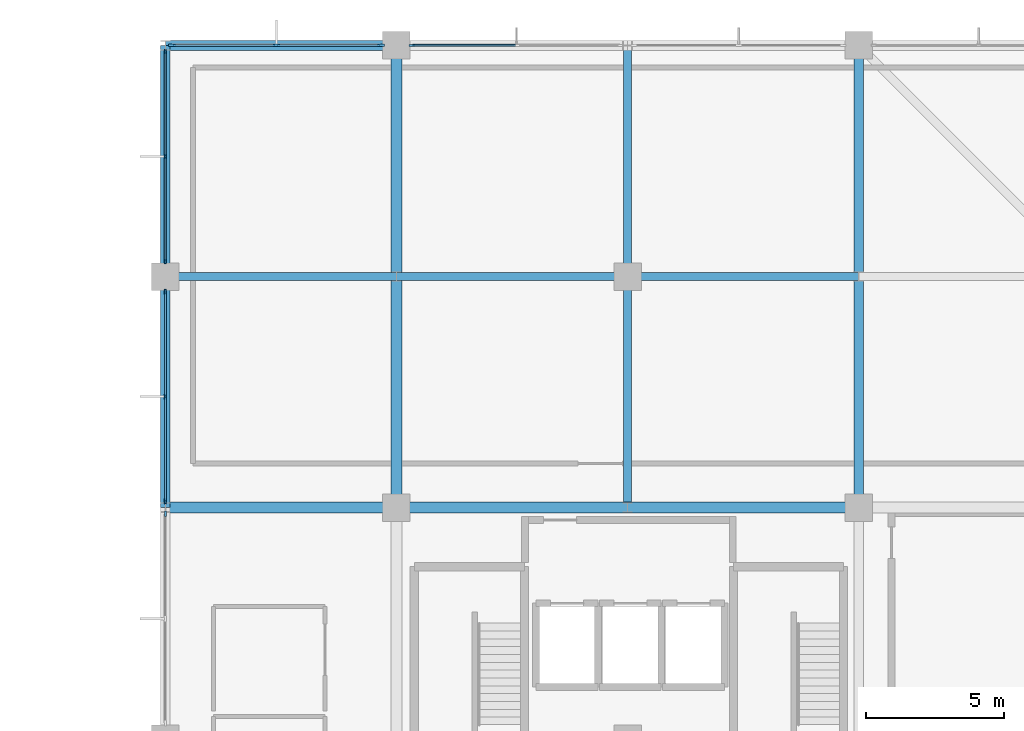
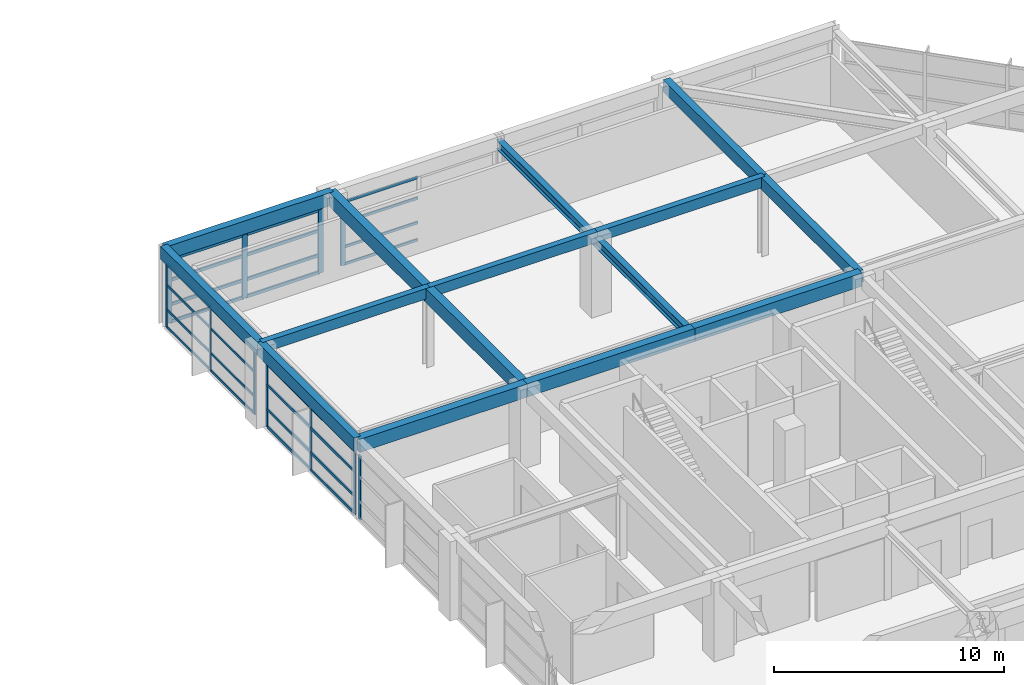
# One storey, part 22 of 32: 39 members, 15 beams, 5 elements without a shape of their own.
"""IFC4 building model written with IfcOpenShell, lengths in metres."""

from ifc_helpers import new_model, si_unit, direction, frame, origin, origin_2d, place, context, subcontext, project, spatial, rectangle, i_section, extrude, material, material_profile, profile_set, type_object, element, aggregate, save


model = new_model("IFC4")

# Units and contexts
model_context = context("Model", 3, precision=1e-05, world=origin(), true_north=direction((0.0, 1.0)))
body_context = subcontext(model_context, "Body", "Model", "MODEL_VIEW")
ifc_project = project(units=[si_unit("LENGTHUNIT", "METRE"), si_unit("AREAUNIT", "SQUARE_METRE"), si_unit("VOLUMEUNIT", "CUBIC_METRE"), si_unit("PLANEANGLEUNIT", "RADIAN"), si_unit("MASSUNIT", "GRAM", prefix="KILO")], contexts=[model_context])

# Site, building, storey
site_placement = place(None, origin())
site = spatial("IfcSite", under=ifc_project, at=site_placement, CompositionType="ELEMENT")
building_placement = place(site_placement, origin())
building = spatial("IfcBuilding", under=site, at=building_placement, Name="Xuanlan Plaza Opera House", CompositionType="ELEMENT")
storey_placement = place(building_placement, frame((0.0, 0.0, 40.5)))
storey = spatial("IfcBuildingStorey", under=building, at=storey_placement, Name="L09", CompositionType="ELEMENT", Elevation=40.5)

# Curtain wall, members
ifc_material_1 = material(Name="Anodised Aluminium 6063-T6 and Low-E Glass", Category="aluminium")
curtain_wall_type_1 = type_object("IfcCurtainWallType", Name="ENV-CW-CW-02", PredefinedType="USERDEFINED", material=ifc_material_1)
curtain_wall_1_placement = place(storey_placement, origin())
curtain_wall_1 = element("IfcCurtainWall", 1, at=curtain_wall_1_placement, inside=storey, type_object=curtain_wall_type_1, Name="Unitised Curtain Wall L09-015", ObjectType="UNITISED CURTAIN WALL", PredefinedType="USERDEFINED")
ifc_material_2 = material(Name="Anodised Aluminium 6063-T6", Category="aluminium")
ifc_material_profile_1 = material_profile(ifc_material_2, rectangle(XDim=0.06494140625, YDim=0.159912109375, at=origin_2d()), Name="ALU-M 65x160")
ifc_profile_set_1 = profile_set([ifc_material_profile_1], Name="Anodised Aluminium 6063-T6")
member_type_1 = type_object("IfcMemberType", Name="ENV-CWM-01", PredefinedType="MULLION", material=ifc_profile_set_1)
member_1_placement = place(storey_placement, frame((126.0, 83.7724609375, 0.0), z_axis=(0.0, 0.0, 1.0), x_axis=(1.0, 0.0, 0.0)))
member_1 = element("IfcMember", 2, at=member_1_placement, type_object=member_type_1, Name="CW-02 mullion 1", PredefinedType="MULLION", context=body_context, shape_type="SweptSolid", body=[
    extrude(rectangle(XDim=0.06494140625, YDim=0.159912109375, at=origin_2d()), origin(), (0.0, 0.0, 1.0), 3.3798828125),
])
member_2_placement = place(storey_placement, frame((126.0, 79.96240234375, 0.0), z_axis=(0.0, 0.0, 1.0), x_axis=(1.0, 0.0, 0.0)))
member_2 = element("IfcMember", 3, at=member_2_placement, type_object=member_type_1, Name="CW-02 mullion 2", PredefinedType="MULLION", context=body_context, shape_type="SweptSolid", body=[
    extrude(rectangle(XDim=0.06494140625, YDim=0.159912109375, at=origin_2d()), origin(), (0.0, 0.0, 1.0), 3.3798828125),
])
member_3_placement = place(storey_placement, frame((126.0, 76.152587890625, 0.0), z_axis=(0.0, 0.0, 1.0), x_axis=(1.0, 0.0, 0.0)))
member_3 = element("IfcMember", 4, at=member_3_placement, type_object=member_type_1, Name="CW-02 mullion 3", PredefinedType="MULLION", context=body_context, shape_type="SweptSolid", body=[
    extrude(rectangle(XDim=0.06494140625, YDim=0.159912109375, at=origin_2d()), origin(), (0.0, 0.0, 1.0), 3.3798828125),
])

curtain_wall_type_2 = type_object("IfcCurtainWallType", Name="ENV-CW-CW-03", PredefinedType="USERDEFINED", material=ifc_material_1)
curtain_wall_2_placement = place(storey_placement, origin())
curtain_wall_2 = element("IfcCurtainWall", 5, at=curtain_wall_2_placement, inside=storey, type_object=curtain_wall_type_2, Name="Unitised Curtain Wall L09-016", ObjectType="UNITISED CURTAIN WALL", PredefinedType="USERDEFINED")
ifc_material_profile_2 = material_profile(ifc_material_2, rectangle(XDim=0.070068359375, YDim=0.179931640625, at=origin_2d()), Name="ALU-M 70x180")
ifc_profile_set_2 = profile_set([ifc_material_profile_2], Name="Anodised Aluminium 6063-T6")
member_type_2 = type_object("IfcMemberType", Name="ENV-CWM-02", PredefinedType="MULLION", material=ifc_profile_set_2)
member_4_placement = place(storey_placement, frame((126.0, 75.044921875, 0.0), z_axis=(0.0, 0.0, 1.0), x_axis=(1.0, 0.0, 0.0)))
member_4 = element("IfcMember", 6, at=member_4_placement, type_object=member_type_2, Name="CW-03 mullion 1", PredefinedType="MULLION", context=body_context, shape_type="SweptSolid", body=[
    extrude(rectangle(XDim=0.070068359375, YDim=0.179931640625, at=origin_2d()), origin(), (0.0, 0.0, 1.0), 3.3798828125),
])
member_5_placement = place(storey_placement, frame((126.0, 71.237548828125, 0.0), z_axis=(0.0, 0.0, 1.0), x_axis=(1.0, 0.0, 0.0)))
member_5 = element("IfcMember", 7, at=member_5_placement, type_object=member_type_2, Name="CW-03 mullion 2", PredefinedType="MULLION", context=body_context, shape_type="SweptSolid", body=[
    extrude(rectangle(XDim=0.070068359375, YDim=0.179931640625, at=origin_2d()), origin(), (0.0, 0.0, 1.0), 3.3798828125),
])
member_6_placement = place(storey_placement, frame((126.0, 67.429931640625, 0.0), z_axis=(0.0, 0.0, 1.0), x_axis=(1.0, 0.0, 0.0)))
member_6 = element("IfcMember", 8, at=member_6_placement, type_object=member_type_2, Name="CW-03 mullion 3", PredefinedType="MULLION", context=body_context, shape_type="SweptSolid", body=[
    extrude(rectangle(XDim=0.070068359375, YDim=0.179931640625, at=origin_2d()), origin(), (0.0, 0.0, 1.0), 3.3798828125),
])

# Curtain wall, member
curtain_wall_type_3 = type_object("IfcCurtainWallType", Name="ENV-CW-CW-04", PredefinedType="USERDEFINED", material=ifc_material_1)
curtain_wall_3_placement = place(storey_placement, origin())
curtain_wall_3 = element("IfcCurtainWall", 9, at=curtain_wall_3_placement, inside=storey, type_object=curtain_wall_type_3, Name="Unitised Curtain Wall L09-017", ObjectType="UNITISED CURTAIN WALL", PredefinedType="USERDEFINED")
ifc_material_profile_3 = material_profile(ifc_material_2, rectangle(XDim=0.074951171875, YDim=0.199951171875, at=origin_2d()), Name="ALU-M 75x200")
ifc_profile_set_3 = profile_set([ifc_material_profile_3], Name="Anodised Aluminium 6063-T6")
member_type_3 = type_object("IfcMemberType", Name="ENV-CWM-03", PredefinedType="MULLION", material=ifc_profile_set_3)
member_7_placement = place(storey_placement, frame((126.0, 66.967529296875, 0.0), z_axis=(0.0, 0.0, 1.0), x_axis=(1.0, 0.0, 0.0)))
member_7 = element("IfcMember", 10, at=member_7_placement, type_object=member_type_3, Name="CW-04 mullion 1", PredefinedType="MULLION", context=body_context, shape_type="SweptSolid", body=[
    extrude(rectangle(XDim=0.074951171875, YDim=0.199951171875, at=origin_2d()), origin(), (0.0, 0.0, 1.0), 3.3798828125),
])
aggregate(curtain_wall_3, [member_7])

curtain_wall_4_placement = place(storey_placement, origin())
curtain_wall_4 = element("IfcCurtainWall", 11, at=curtain_wall_4_placement, inside=storey, type_object=curtain_wall_type_3, Name="Unitised Curtain Wall L09-013", ObjectType="UNITISED CURTAIN WALL", PredefinedType="USERDEFINED")
ifc_material_profile_4 = material_profile(ifc_material_2, rectangle(XDim=0.080078125, YDim=0.219970703125, at=origin_2d()), Name="ALU-M 80x220")
ifc_profile_set_4 = profile_set([ifc_material_profile_4], Name="Anodised Aluminium 6063-T6")
member_type_4 = type_object("IfcMemberType", Name="ENV-CWM-04", PredefinedType="MULLION", material=ifc_profile_set_4)
member_8_placement = place(storey_placement, frame((134.9599609375, 84.0, 0.0), z_axis=(0.0, 0.0, 1.0), x_axis=(0.0, -1.0, 0.0)))
member_8 = element("IfcMember", 12, at=member_8_placement, type_object=member_type_4, Name="CW-04 mullion 3", PredefinedType="MULLION", context=body_context, shape_type="SweptSolid", body=[
    extrude(rectangle(XDim=0.080078125, YDim=0.219970703125, at=origin_2d()), origin(), (0.0, 0.0, 1.0), 3.3798828125),
])

# Curtain wall, members
curtain_wall_type_4 = type_object("IfcCurtainWallType", Name="ENV-CW-CW-01", PredefinedType="USERDEFINED", material=ifc_material_1)
curtain_wall_5_placement = place(storey_placement, origin())
curtain_wall_5 = element("IfcCurtainWall", 13, at=curtain_wall_5_placement, inside=storey, type_object=curtain_wall_type_4, Name="Unitised Curtain Wall L09-014", ObjectType="UNITISED CURTAIN WALL", PredefinedType="USERDEFINED")
ifc_material_profile_5 = material_profile(ifc_material_2, rectangle(XDim=0.090087890625, YDim=0.25, at=origin_2d()), Name="ALU-M 90x250")
ifc_profile_set_5 = profile_set([ifc_material_profile_5], Name="Anodised Aluminium 6063-T6")
member_type_5 = type_object("IfcMemberType", Name="ENV-CWM-05", PredefinedType="MULLION", material=ifc_profile_set_5)
member_9_placement = place(storey_placement, frame((133.8349609375, 84.0, 0.0), z_axis=(0.0, 0.0, 1.0), x_axis=(0.0, -1.0, 0.0)))
member_9 = element("IfcMember", 14, at=member_9_placement, type_object=member_type_5, Name="CW-01 mullion 1", PredefinedType="MULLION", context=body_context, shape_type="SweptSolid", body=[
    extrude(rectangle(XDim=0.090087890625, YDim=0.25, at=origin_2d()), origin(), (0.0, 0.0, 1.0), 3.3798828125),
])
member_10_placement = place(storey_placement, frame((130.03759765625, 84.0, 0.0), z_axis=(0.0, 0.0, 1.0), x_axis=(0.0, -1.0, 0.0)))
member_10 = element("IfcMember", 15, at=member_10_placement, type_object=member_type_5, Name="CW-01 mullion 2", PredefinedType="MULLION", context=body_context, shape_type="SweptSolid", body=[
    extrude(rectangle(XDim=0.090087890625, YDim=0.25, at=origin_2d()), origin(), (0.0, 0.0, 1.0), 3.3798828125),
])
member_11_placement = place(storey_placement, frame((126.239990234375, 84.0, 0.0), z_axis=(0.0, 0.0, 1.0), x_axis=(0.0, -1.0, 0.0)))
member_11 = element("IfcMember", 16, at=member_11_placement, type_object=member_type_5, Name="CW-01 mullion 3", PredefinedType="MULLION", context=body_context, shape_type="SweptSolid", body=[
    extrude(rectangle(XDim=0.090087890625, YDim=0.25, at=origin_2d()), origin(), (0.0, 0.0, 1.0), 3.3798828125),
])

# Member
ifc_material_profile_6 = material_profile(ifc_material_2, rectangle(XDim=0.06494140625, YDim=0.1201171875, at=origin_2d()), Name="ALU-T 65x120")
ifc_profile_set_6 = profile_set([ifc_material_profile_6], Name="Anodised Aluminium 6063-T6")
member_type_6 = type_object("IfcMemberType", Name="ENV-CWT-01", PredefinedType="USERDEFINED", material=ifc_profile_set_6)
member_12_placement = place(storey_placement, frame((126.0, 83.739990234375, 0.032470703125), z_axis=(0.0, -1.0, 0.0), x_axis=(1.0, 0.0, 0.0)))
member_12 = element("IfcMember", 17, at=member_12_placement, type_object=member_type_6, Name="CW-02 transom 1.1", ObjectType="TRANSOM", PredefinedType="USERDEFINED", context=body_context, shape_type="SweptSolid", body=[
    extrude(rectangle(XDim=0.06494140625, YDim=0.1201171875, at=origin_2d()), origin(), (0.0, 0.0, 1.0), 3.744873046875),
])

member_13_placement = place(storey_placement, frame((126.0, 83.739990234375, 0.949951171875), z_axis=(0.0, -1.0, 0.0), x_axis=(1.0, 0.0, 0.0)))
member_13 = element("IfcMember", 18, at=member_13_placement, type_object=member_type_6, Name="CW-02 transom 1.2", ObjectType="TRANSOM", PredefinedType="USERDEFINED", context=body_context, shape_type="SweptSolid", body=[
    extrude(rectangle(XDim=0.06494140625, YDim=0.1201171875, at=origin_2d()), origin(), (0.0, 0.0, 1.0), 3.744873046875),
])

member_14_placement = place(storey_placement, frame((126.0, 83.739990234375, 2.25), z_axis=(0.0, -1.0, 0.0), x_axis=(1.0, 0.0, 0.0)))
member_14 = element("IfcMember", 19, at=member_14_placement, type_object=member_type_6, Name="CW-02 transom 1.3", ObjectType="TRANSOM", PredefinedType="USERDEFINED", context=body_context, shape_type="SweptSolid", body=[
    extrude(rectangle(XDim=0.06494140625, YDim=0.1201171875, at=origin_2d()), origin(), (0.0, 0.0, 1.0), 3.744873046875),
])

member_15_placement = place(storey_placement, frame((126.0, 83.739990234375, 3.347412109375), z_axis=(0.0, -1.0, 0.0), x_axis=(1.0, 0.0, 0.0)))
member_15 = element("IfcMember", 20, at=member_15_placement, type_object=member_type_6, Name="CW-02 transom 1.4", ObjectType="TRANSOM", PredefinedType="USERDEFINED", context=body_context, shape_type="SweptSolid", body=[
    extrude(rectangle(XDim=0.06494140625, YDim=0.1201171875, at=origin_2d()), origin(), (0.0, 0.0, 1.0), 3.744873046875),
])

member_16_placement = place(storey_placement, frame((126.0, 79.929931640625, 0.032470703125), z_axis=(0.0, -1.0, 0.0), x_axis=(1.0, 0.0, 0.0)))
member_16 = element("IfcMember", 21, at=member_16_placement, type_object=member_type_6, Name="CW-02 transom 2.1", ObjectType="TRANSOM", PredefinedType="USERDEFINED", context=body_context, shape_type="SweptSolid", body=[
    extrude(rectangle(XDim=0.06494140625, YDim=0.1201171875, at=origin_2d()), origin(), (0.0, 0.0, 1.0), 3.744873046875),
])

member_17_placement = place(storey_placement, frame((126.0, 79.929931640625, 0.949951171875), z_axis=(0.0, -1.0, 0.0), x_axis=(1.0, 0.0, 0.0)))
member_17 = element("IfcMember", 22, at=member_17_placement, type_object=member_type_6, Name="CW-02 transom 2.2", ObjectType="TRANSOM", PredefinedType="USERDEFINED", context=body_context, shape_type="SweptSolid", body=[
    extrude(rectangle(XDim=0.06494140625, YDim=0.1201171875, at=origin_2d()), origin(), (0.0, 0.0, 1.0), 3.744873046875),
])

member_18_placement = place(storey_placement, frame((126.0, 79.929931640625, 2.25), z_axis=(0.0, -1.0, 0.0), x_axis=(1.0, 0.0, 0.0)))
member_18 = element("IfcMember", 23, at=member_18_placement, type_object=member_type_6, Name="CW-02 transom 2.3", ObjectType="TRANSOM", PredefinedType="USERDEFINED", context=body_context, shape_type="SweptSolid", body=[
    extrude(rectangle(XDim=0.06494140625, YDim=0.1201171875, at=origin_2d()), origin(), (0.0, 0.0, 1.0), 3.744873046875),
])

member_19_placement = place(storey_placement, frame((126.0, 79.929931640625, 3.347412109375), z_axis=(0.0, -1.0, 0.0), x_axis=(1.0, 0.0, 0.0)))
member_19 = element("IfcMember", 24, at=member_19_placement, type_object=member_type_6, Name="CW-02 transom 2.4", ObjectType="TRANSOM", PredefinedType="USERDEFINED", context=body_context, shape_type="SweptSolid", body=[
    extrude(rectangle(XDim=0.06494140625, YDim=0.1201171875, at=origin_2d()), origin(), (0.0, 0.0, 1.0), 3.744873046875),
])

aggregate(curtain_wall_1, [member_1, member_2, member_3, member_12, member_13, member_14, member_15, member_16, member_17, member_18, member_19])

ifc_material_profile_7 = material_profile(ifc_material_2, rectangle(XDim=0.070068359375, YDim=0.135009765625, at=origin_2d()), Name="ALU-T 70x135")
ifc_profile_set_7 = profile_set([ifc_material_profile_7], Name="Anodised Aluminium 6063-T6")
member_type_7 = type_object("IfcMemberType", Name="ENV-CWT-02", PredefinedType="USERDEFINED", material=ifc_profile_set_7)
member_20_placement = place(storey_placement, frame((138.722412109375, 84.0, 0.034912109375), z_axis=(-1.0, 0.0, 0.0), x_axis=(0.0, -1.0, 0.0)))
member_20 = element("IfcMember", 25, at=member_20_placement, type_object=member_type_7, Name="CW-04 transom 2.1", ObjectType="TRANSOM", PredefinedType="USERDEFINED", context=body_context, shape_type="SweptSolid", body=[
    extrude(rectangle(XDim=0.070068359375, YDim=0.135009765625, at=origin_2d()), origin(), (0.0, 0.0, 1.0), 3.722412109375),
])

member_21_placement = place(storey_placement, frame((138.722412109375, 84.0, 0.949951171875), z_axis=(-1.0, 0.0, 0.0), x_axis=(0.0, -1.0, 0.0)))
member_21 = element("IfcMember", 26, at=member_21_placement, type_object=member_type_7, Name="CW-04 transom 2.2", ObjectType="TRANSOM", PredefinedType="USERDEFINED", context=body_context, shape_type="SweptSolid", body=[
    extrude(rectangle(XDim=0.070068359375, YDim=0.135009765625, at=origin_2d()), origin(), (0.0, 0.0, 1.0), 3.722412109375),
])

member_22_placement = place(storey_placement, frame((138.722412109375, 84.0, 2.25), z_axis=(-1.0, 0.0, 0.0), x_axis=(0.0, -1.0, 0.0)))
member_22 = element("IfcMember", 27, at=member_22_placement, type_object=member_type_7, Name="CW-04 transom 2.3", ObjectType="TRANSOM", PredefinedType="USERDEFINED", context=body_context, shape_type="SweptSolid", body=[
    extrude(rectangle(XDim=0.070068359375, YDim=0.135009765625, at=origin_2d()), origin(), (0.0, 0.0, 1.0), 3.722412109375),
])

member_23_placement = place(storey_placement, frame((138.722412109375, 84.0, 3.344970703125), z_axis=(-1.0, 0.0, 0.0), x_axis=(0.0, -1.0, 0.0)))
member_23 = element("IfcMember", 28, at=member_23_placement, type_object=member_type_7, Name="CW-04 transom 2.4", ObjectType="TRANSOM", PredefinedType="USERDEFINED", context=body_context, shape_type="SweptSolid", body=[
    extrude(rectangle(XDim=0.070068359375, YDim=0.135009765625, at=origin_2d()), origin(), (0.0, 0.0, 1.0), 3.722412109375),
])

aggregate(curtain_wall_4, [member_8, member_20, member_21, member_22, member_23])

ifc_material_profile_8 = material_profile(ifc_material_2, rectangle(XDim=0.074951171875, YDim=0.14990234375, at=origin_2d()), Name="ALU-T 75x150")
ifc_profile_set_8 = profile_set([ifc_material_profile_8], Name="Anodised Aluminium 6063-T6")
member_type_8 = type_object("IfcMemberType", Name="ENV-CWT-03", PredefinedType="USERDEFINED", material=ifc_profile_set_8)
member_24_placement = place(storey_placement, frame((126.0, 75.010009765625, 0.03759765625), z_axis=(0.0, -1.0, 0.0), x_axis=(1.0, 0.0, 0.0)))
member_24 = element("IfcMember", 29, at=member_24_placement, type_object=member_type_8, Name="CW-03 transom 1.1", ObjectType="TRANSOM", PredefinedType="USERDEFINED", context=body_context, shape_type="SweptSolid", body=[
    extrude(rectangle(XDim=0.074951171875, YDim=0.14990234375, at=origin_2d()), origin(), (0.0, 0.0, 1.0), 3.737548828125),
])

member_25_placement = place(storey_placement, frame((126.0, 75.010009765625, 0.949951171875), z_axis=(0.0, -1.0, 0.0), x_axis=(1.0, 0.0, 0.0)))
member_25 = element("IfcMember", 30, at=member_25_placement, type_object=member_type_8, Name="CW-03 transom 1.2", ObjectType="TRANSOM", PredefinedType="USERDEFINED", context=body_context, shape_type="SweptSolid", body=[
    extrude(rectangle(XDim=0.074951171875, YDim=0.14990234375, at=origin_2d()), origin(), (0.0, 0.0, 1.0), 3.737548828125),
])

member_26_placement = place(storey_placement, frame((126.0, 75.010009765625, 2.25), z_axis=(0.0, -1.0, 0.0), x_axis=(1.0, 0.0, 0.0)))
member_26 = element("IfcMember", 31, at=member_26_placement, type_object=member_type_8, Name="CW-03 transom 1.3", ObjectType="TRANSOM", PredefinedType="USERDEFINED", context=body_context, shape_type="SweptSolid", body=[
    extrude(rectangle(XDim=0.074951171875, YDim=0.14990234375, at=origin_2d()), origin(), (0.0, 0.0, 1.0), 3.737548828125),
])

member_27_placement = place(storey_placement, frame((126.0, 75.010009765625, 3.342529296875), z_axis=(0.0, -1.0, 0.0), x_axis=(1.0, 0.0, 0.0)))
member_27 = element("IfcMember", 32, at=member_27_placement, type_object=member_type_8, Name="CW-03 transom 1.4", ObjectType="TRANSOM", PredefinedType="USERDEFINED", context=body_context, shape_type="SweptSolid", body=[
    extrude(rectangle(XDim=0.074951171875, YDim=0.14990234375, at=origin_2d()), origin(), (0.0, 0.0, 1.0), 3.737548828125),
])

member_28_placement = place(storey_placement, frame((126.0, 71.202392578125, 0.03759765625), z_axis=(0.0, -1.0, 0.0), x_axis=(1.0, 0.0, 0.0)))
member_28 = element("IfcMember", 33, at=member_28_placement, type_object=member_type_8, Name="CW-03 transom 2.1", ObjectType="TRANSOM", PredefinedType="USERDEFINED", context=body_context, shape_type="SweptSolid", body=[
    extrude(rectangle(XDim=0.074951171875, YDim=0.14990234375, at=origin_2d()), origin(), (0.0, 0.0, 1.0), 3.7373046875),
])

member_29_placement = place(storey_placement, frame((126.0, 71.202392578125, 0.949951171875), z_axis=(0.0, -1.0, 0.0), x_axis=(1.0, 0.0, 0.0)))
member_29 = element("IfcMember", 34, at=member_29_placement, type_object=member_type_8, Name="CW-03 transom 2.2", ObjectType="TRANSOM", PredefinedType="USERDEFINED", context=body_context, shape_type="SweptSolid", body=[
    extrude(rectangle(XDim=0.074951171875, YDim=0.14990234375, at=origin_2d()), origin(), (0.0, 0.0, 1.0), 3.7373046875),
])

member_30_placement = place(storey_placement, frame((126.0, 71.202392578125, 2.25), z_axis=(0.0, -1.0, 0.0), x_axis=(1.0, 0.0, 0.0)))
member_30 = element("IfcMember", 35, at=member_30_placement, type_object=member_type_8, Name="CW-03 transom 2.3", ObjectType="TRANSOM", PredefinedType="USERDEFINED", context=body_context, shape_type="SweptSolid", body=[
    extrude(rectangle(XDim=0.074951171875, YDim=0.14990234375, at=origin_2d()), origin(), (0.0, 0.0, 1.0), 3.7373046875),
])

member_31_placement = place(storey_placement, frame((126.0, 71.202392578125, 3.342529296875), z_axis=(0.0, -1.0, 0.0), x_axis=(1.0, 0.0, 0.0)))
member_31 = element("IfcMember", 36, at=member_31_placement, type_object=member_type_8, Name="CW-03 transom 2.4", ObjectType="TRANSOM", PredefinedType="USERDEFINED", context=body_context, shape_type="SweptSolid", body=[
    extrude(rectangle(XDim=0.074951171875, YDim=0.14990234375, at=origin_2d()), origin(), (0.0, 0.0, 1.0), 3.7373046875),
])

aggregate(curtain_wall_2, [member_4, member_5, member_6, member_24, member_25, member_26, member_27, member_28, member_29, member_30, member_31])

ifc_material_profile_9 = material_profile(ifc_material_2, rectangle(XDim=0.080078125, YDim=0.1650390625, at=origin_2d()), Name="ALU-T 80x165")
ifc_profile_set_9 = profile_set([ifc_material_profile_9], Name="Anodised Aluminium 6063-T6")
member_type_9 = type_object("IfcMemberType", Name="ENV-CWT-04", PredefinedType="USERDEFINED", material=ifc_profile_set_9)
member_32_placement = place(storey_placement, frame((133.7900390625, 84.0, 0.0400390625), z_axis=(-1.0, 0.0, 0.0), x_axis=(0.0, -1.0, 0.0)))
member_32 = element("IfcMember", 37, at=member_32_placement, type_object=member_type_9, Name="CW-01 transom 1.1", ObjectType="TRANSOM", PredefinedType="USERDEFINED", context=body_context, shape_type="SweptSolid", body=[
    extrude(rectangle(XDim=0.080078125, YDim=0.1650390625, at=origin_2d()), origin(), (0.0, 0.0, 1.0), 3.70751953125),
])

member_33_placement = place(storey_placement, frame((133.7900390625, 84.0, 0.949951171875), z_axis=(-1.0, 0.0, 0.0), x_axis=(0.0, -1.0, 0.0)))
member_33 = element("IfcMember", 38, at=member_33_placement, type_object=member_type_9, Name="CW-01 transom 1.2", ObjectType="TRANSOM", PredefinedType="USERDEFINED", context=body_context, shape_type="SweptSolid", body=[
    extrude(rectangle(XDim=0.080078125, YDim=0.1650390625, at=origin_2d()), origin(), (0.0, 0.0, 1.0), 3.70751953125),
])

member_34_placement = place(storey_placement, frame((133.7900390625, 84.0, 2.25), z_axis=(-1.0, 0.0, 0.0), x_axis=(0.0, -1.0, 0.0)))
member_34 = element("IfcMember", 39, at=member_34_placement, type_object=member_type_9, Name="CW-01 transom 1.3", ObjectType="TRANSOM", PredefinedType="USERDEFINED", context=body_context, shape_type="SweptSolid", body=[
    extrude(rectangle(XDim=0.080078125, YDim=0.1650390625, at=origin_2d()), origin(), (0.0, 0.0, 1.0), 3.70751953125),
])

member_35_placement = place(storey_placement, frame((133.7900390625, 84.0, 3.340087890625), z_axis=(-1.0, 0.0, 0.0), x_axis=(0.0, -1.0, 0.0)))
member_35 = element("IfcMember", 40, at=member_35_placement, type_object=member_type_9, Name="CW-01 transom 1.4", ObjectType="TRANSOM", PredefinedType="USERDEFINED", context=body_context, shape_type="SweptSolid", body=[
    extrude(rectangle(XDim=0.080078125, YDim=0.1650390625, at=origin_2d()), origin(), (0.0, 0.0, 1.0), 3.70751953125),
])

member_36_placement = place(storey_placement, frame((129.992431640625, 84.0, 0.0400390625), z_axis=(-1.0, 0.0, 0.0), x_axis=(0.0, -1.0, 0.0)))
member_36 = element("IfcMember", 41, at=member_36_placement, type_object=member_type_9, Name="CW-01 transom 2.1", ObjectType="TRANSOM", PredefinedType="USERDEFINED", context=body_context, shape_type="SweptSolid", body=[
    extrude(rectangle(XDim=0.080078125, YDim=0.1650390625, at=origin_2d()), origin(), (0.0, 0.0, 1.0), 3.70751953125),
])

member_37_placement = place(storey_placement, frame((129.992431640625, 84.0, 0.949951171875), z_axis=(-1.0, 0.0, 0.0), x_axis=(0.0, -1.0, 0.0)))
member_37 = element("IfcMember", 42, at=member_37_placement, type_object=member_type_9, Name="CW-01 transom 2.2", ObjectType="TRANSOM", PredefinedType="USERDEFINED", context=body_context, shape_type="SweptSolid", body=[
    extrude(rectangle(XDim=0.080078125, YDim=0.1650390625, at=origin_2d()), origin(), (0.0, 0.0, 1.0), 3.70751953125),
])

member_38_placement = place(storey_placement, frame((129.992431640625, 84.0, 2.25), z_axis=(-1.0, 0.0, 0.0), x_axis=(0.0, -1.0, 0.0)))
member_38 = element("IfcMember", 43, at=member_38_placement, type_object=member_type_9, Name="CW-01 transom 2.3", ObjectType="TRANSOM", PredefinedType="USERDEFINED", context=body_context, shape_type="SweptSolid", body=[
    extrude(rectangle(XDim=0.080078125, YDim=0.1650390625, at=origin_2d()), origin(), (0.0, 0.0, 1.0), 3.70751953125),
])

member_39_placement = place(storey_placement, frame((129.992431640625, 84.0, 3.340087890625), z_axis=(-1.0, 0.0, 0.0), x_axis=(0.0, -1.0, 0.0)))
member_39 = element("IfcMember", 44, at=member_39_placement, type_object=member_type_9, Name="CW-01 transom 2.4", ObjectType="TRANSOM", PredefinedType="USERDEFINED", context=body_context, shape_type="SweptSolid", body=[
    extrude(rectangle(XDim=0.080078125, YDim=0.1650390625, at=origin_2d()), origin(), (0.0, 0.0, 1.0), 3.70751953125),
])

aggregate(curtain_wall_5, [member_9, member_10, member_11, member_32, member_33, member_34, member_35, member_36, member_37, member_38, member_39])

# Beams
ifc_material_3 = material(Name="Concrete C40", Category="concrete")
ifc_material_profile_10 = material_profile(ifc_material_3, rectangle(XDim=0.39990234375, YDim=0.75, at=origin_2d()), Name="RC-BM 400x750")
ifc_profile_set_10 = profile_set([ifc_material_profile_10], Name="Concrete C40")
beam_type_1 = type_object("IfcBeamType", Name="STR-BM-B-06", PredefinedType="BEAM", material=ifc_profile_set_10)
beam_1_placement = place(storey_placement, frame((134.39990234375, 67.199951171875, 3.824951171875), z_axis=(0.0, 1.0, 0.0), x_axis=(-1.0, 0.0, 0.0)))
element("IfcBeam", 45, at=beam_1_placement, inside=storey, type_object=beam_type_1, Name="Grid Beam Y L09 17/I-J", PredefinedType="BEAM", context=body_context, shape_type="SweptSolid", body=[
    extrude(rectangle(XDim=0.39990234375, YDim=0.75, at=origin_2d()), origin(), (0.0, 0.0, 1.0), 8.400146484375),
])
beam_2_placement = place(storey_placement, frame((134.39990234375, 75.60009765625, 3.824951171875), z_axis=(0.0, 1.0, 0.0), x_axis=(-1.0, 0.0, 0.0)))
element("IfcBeam", 46, at=beam_2_placement, inside=storey, type_object=beam_type_1, Name="Grid Beam Y L09 17/J-K", PredefinedType="BEAM", context=body_context, shape_type="SweptSolid", body=[
    extrude(rectangle(XDim=0.39990234375, YDim=0.75, at=origin_2d()), origin(), (0.0, 0.0, 1.0), 8.39990234375),
])
ifc_material_profile_11 = material_profile(ifc_material_3, rectangle(XDim=0.39990234375, YDim=0.699951171875, at=origin_2d()), Name="RC-BM 400x700")
ifc_profile_set_11 = profile_set([ifc_material_profile_11], Name="Concrete C40")
beam_type_2 = type_object("IfcBeamType", Name="STR-BM-B-07", PredefinedType="BEAM", material=ifc_profile_set_11)
beam_3_placement = place(storey_placement, frame((126.0, 67.199951171875, 3.85009765625), z_axis=(1.0, 0.0, 0.0), x_axis=(0.0, 1.0, 0.0)))
element("IfcBeam", 47, at=beam_3_placement, inside=storey, type_object=beam_type_2, Name="Grid Beam X L09 16-17/I", PredefinedType="BEAM", context=body_context, shape_type="SweptSolid", body=[
    extrude(rectangle(XDim=0.39990234375, YDim=0.699951171875, at=origin_2d()), origin(), (0.0, 0.0, 1.0), 8.39990234375),
])
beam_4_placement = place(storey_placement, frame((134.39990234375, 67.199951171875, 3.85009765625), z_axis=(1.0, 0.0, 0.0), x_axis=(0.0, 1.0, 0.0)))
element("IfcBeam", 48, at=beam_4_placement, inside=storey, type_object=beam_type_2, Name="Grid Beam X L09 17-18/I", PredefinedType="BEAM", context=body_context, shape_type="SweptSolid", body=[
    extrude(rectangle(XDim=0.39990234375, YDim=0.699951171875, at=origin_2d()), origin(), (0.0, 0.0, 1.0), 8.400146484375),
])
beam_5_placement = place(storey_placement, frame((142.800048828125, 67.199951171875, 3.85009765625), z_axis=(1.0, 0.0, 0.0), x_axis=(0.0, 1.0, 0.0)))
element("IfcBeam", 49, at=beam_5_placement, inside=storey, type_object=beam_type_2, Name="Grid Beam X L09 18-19/I", PredefinedType="BEAM", context=body_context, shape_type="SweptSolid", body=[
    extrude(rectangle(XDim=0.39990234375, YDim=0.699951171875, at=origin_2d()), origin(), (0.0, 0.0, 1.0), 8.39990234375),
])
ifc_material_profile_12 = material_profile(ifc_material_3, rectangle(XDim=0.35009765625, YDim=0.64990234375, at=origin_2d()), Name="RC-BM 350x650")
ifc_profile_set_12 = profile_set([ifc_material_profile_12], Name="Concrete C40")
beam_type_3 = type_object("IfcBeamType", Name="STR-BM-B-08", PredefinedType="BEAM", material=ifc_profile_set_12)
beam_6_placement = place(storey_placement, frame((151.199951171875, 67.199951171875, 3.875), z_axis=(0.0, 1.0, 0.0), x_axis=(-1.0, 0.0, 0.0)))
element("IfcBeam", 50, at=beam_6_placement, inside=storey, type_object=beam_type_3, Name="Grid Beam Y L09 19/I-J", PredefinedType="BEAM", context=body_context, shape_type="SweptSolid", body=[
    extrude(rectangle(XDim=0.35009765625, YDim=0.64990234375, at=origin_2d()), origin(), (0.0, 0.0, 1.0), 8.400146484375),
])
beam_7_placement = place(storey_placement, frame((151.199951171875, 75.60009765625, 3.875), z_axis=(0.0, 1.0, 0.0), x_axis=(-1.0, 0.0, 0.0)))
element("IfcBeam", 51, at=beam_7_placement, inside=storey, type_object=beam_type_3, Name="Grid Beam Y L09 19/J-K", PredefinedType="BEAM", context=body_context, shape_type="SweptSolid", body=[
    extrude(rectangle(XDim=0.35009765625, YDim=0.64990234375, at=origin_2d()), origin(), (0.0, 0.0, 1.0), 8.39990234375),
])
ifc_material_profile_13 = material_profile(ifc_material_3, rectangle(XDim=0.300048828125, YDim=0.550048828125, at=origin_2d()), Name="RC-BM 300x550")
ifc_profile_set_13 = profile_set([ifc_material_profile_13], Name="Concrete C40")
beam_type_4 = type_object("IfcBeamType", Name="STR-BM-B-09", PredefinedType="BEAM", material=ifc_profile_set_13)
beam_8_placement = place(storey_placement, frame((126.0, 75.60009765625, 3.925048828125), z_axis=(1.0, 0.0, 0.0), x_axis=(0.0, 1.0, 0.0)))
element("IfcBeam", 52, at=beam_8_placement, inside=storey, type_object=beam_type_4, Name="Grid Beam X L09 16-17/J", PredefinedType="BEAM", context=body_context, shape_type="SweptSolid", body=[
    extrude(rectangle(XDim=0.300048828125, YDim=0.550048828125, at=origin_2d()), origin(), (0.0, 0.0, 1.0), 8.39990234375),
])
beam_9_placement = place(storey_placement, frame((134.39990234375, 75.60009765625, 3.925048828125), z_axis=(1.0, 0.0, 0.0), x_axis=(0.0, 1.0, 0.0)))
element("IfcBeam", 53, at=beam_9_placement, inside=storey, type_object=beam_type_4, Name="Grid Beam X L09 17-18/J", PredefinedType="BEAM", context=body_context, shape_type="SweptSolid", body=[
    extrude(rectangle(XDim=0.300048828125, YDim=0.550048828125, at=origin_2d()), origin(), (0.0, 0.0, 1.0), 8.400146484375),
])
beam_10_placement = place(storey_placement, frame((142.800048828125, 75.60009765625, 3.925048828125), z_axis=(1.0, 0.0, 0.0), x_axis=(0.0, 1.0, 0.0)))
element("IfcBeam", 54, at=beam_10_placement, inside=storey, type_object=beam_type_4, Name="Grid Beam X L09 18-19/J", PredefinedType="BEAM", context=body_context, shape_type="SweptSolid", body=[
    extrude(rectangle(XDim=0.300048828125, YDim=0.550048828125, at=origin_2d()), origin(), (0.0, 0.0, 1.0), 8.39990234375),
])
ifc_material_4 = material(Name="Steel Q355B", Category="steel")
ifc_material_profile_14 = material_profile(ifc_material_4, i_section(OverallWidth=0.300048828125, OverallDepth=0.488037109375, WebThickness=0.010986328125, FlangeThickness=0.01806640625, FilletRadius=0.02197265625, at=origin_2d()), Name="HM 488x300x11x18")
ifc_profile_set_14 = profile_set([ifc_material_profile_14], Name="Steel Q355B")
beam_type_5 = type_object("IfcBeamType", Name="STR-BM-SB-07", PredefinedType="BEAM", material=ifc_profile_set_14)
beam_11_placement = place(storey_placement, frame((142.800048828125, 67.199951171875, 3.7109375), z_axis=(0.0, 1.0, 0.0), x_axis=(-1.0, 0.0, 0.0)))
element("IfcBeam", 55, at=beam_11_placement, inside=storey, type_object=beam_type_5, Name="Grid Beam Y L09 18/I-J", PredefinedType="BEAM", context=body_context, shape_type="SweptSolid", body=[
    extrude(i_section(OverallWidth=0.300048828125, OverallDepth=0.488037109375, WebThickness=0.010986328125, FlangeThickness=0.01806640625, FilletRadius=0.02197265625, at=origin_2d()), origin(), (0.0, 0.0, 1.0), 8.400146484375),
])
beam_12_placement = place(storey_placement, frame((142.800048828125, 75.60009765625, 3.7109375), z_axis=(0.0, 1.0, 0.0), x_axis=(-1.0, 0.0, 0.0)))
element("IfcBeam", 56, at=beam_12_placement, inside=storey, type_object=beam_type_5, Name="Grid Beam Y L09 18/J-K", PredefinedType="BEAM", context=body_context, shape_type="SweptSolid", body=[
    extrude(i_section(OverallWidth=0.300048828125, OverallDepth=0.488037109375, WebThickness=0.010986328125, FlangeThickness=0.01806640625, FilletRadius=0.02197265625, at=origin_2d()), origin(), (0.0, 0.0, 1.0), 8.39990234375),
])
ifc_material_profile_15 = material_profile(ifc_material_3, rectangle(XDim=0.35009765625, YDim=0.699951171875, at=origin_2d()), Name="RC-SPD 350x700")
ifc_profile_set_15 = profile_set([ifc_material_profile_15], Name="Concrete C40")
beam_type_6 = type_object("IfcBeamType", Name="STR-BM-SP-02", PredefinedType="SPANDREL", material=ifc_profile_set_15)
beam_13_placement = place(storey_placement, frame((126.0, 84.0, 3.85009765625), z_axis=(1.0, 0.0, 0.0), x_axis=(0.0, 1.0, 0.0)))
element("IfcBeam", 57, at=beam_13_placement, inside=storey, type_object=beam_type_6, Name="Grid Beam X L09 16-17/K", PredefinedType="SPANDREL", context=body_context, shape_type="SweptSolid", body=[
    extrude(rectangle(XDim=0.35009765625, YDim=0.699951171875, at=origin_2d()), origin(), (0.0, 0.0, 1.0), 8.39990234375),
])
beam_14_placement = place(storey_placement, frame((126.0, 67.199951171875, 3.85009765625), z_axis=(0.0, 1.0, 0.0), x_axis=(-1.0, 0.0, 0.0)))
element("IfcBeam", 58, at=beam_14_placement, inside=storey, type_object=beam_type_6, Name="Grid Beam Y L09 16/I-J", PredefinedType="SPANDREL", context=body_context, shape_type="SweptSolid", body=[
    extrude(rectangle(XDim=0.35009765625, YDim=0.699951171875, at=origin_2d()), origin(), (0.0, 0.0, 1.0), 8.400146484375),
])
beam_15_placement = place(storey_placement, frame((126.0, 75.60009765625, 3.85009765625), z_axis=(0.0, 1.0, 0.0), x_axis=(-1.0, 0.0, 0.0)))
element("IfcBeam", 59, at=beam_15_placement, inside=storey, type_object=beam_type_6, Name="Grid Beam Y L09 16/J-K", PredefinedType="SPANDREL", context=body_context, shape_type="SweptSolid", body=[
    extrude(rectangle(XDim=0.35009765625, YDim=0.699951171875, at=origin_2d()), origin(), (0.0, 0.0, 1.0), 8.39990234375),
])

save(model, "model.ifc")
